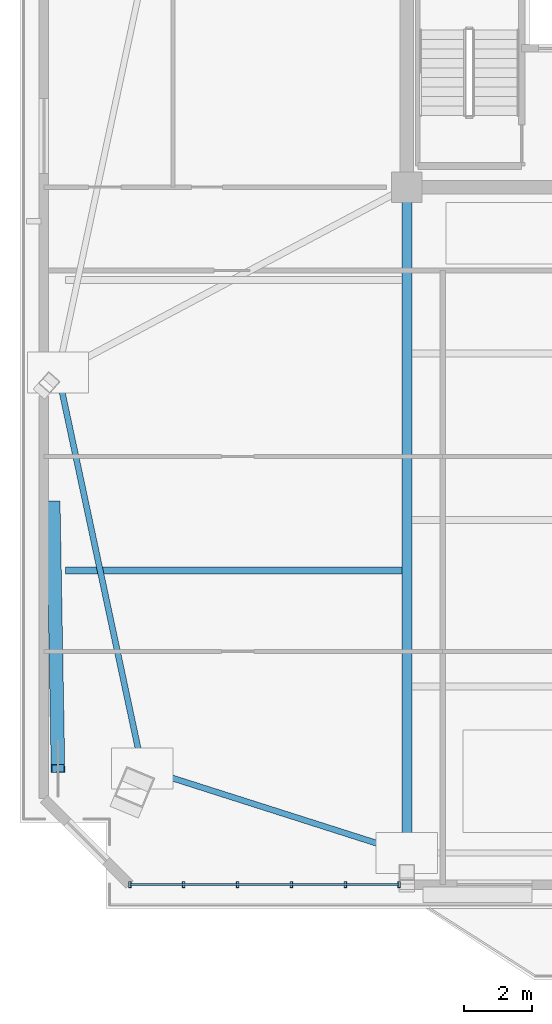
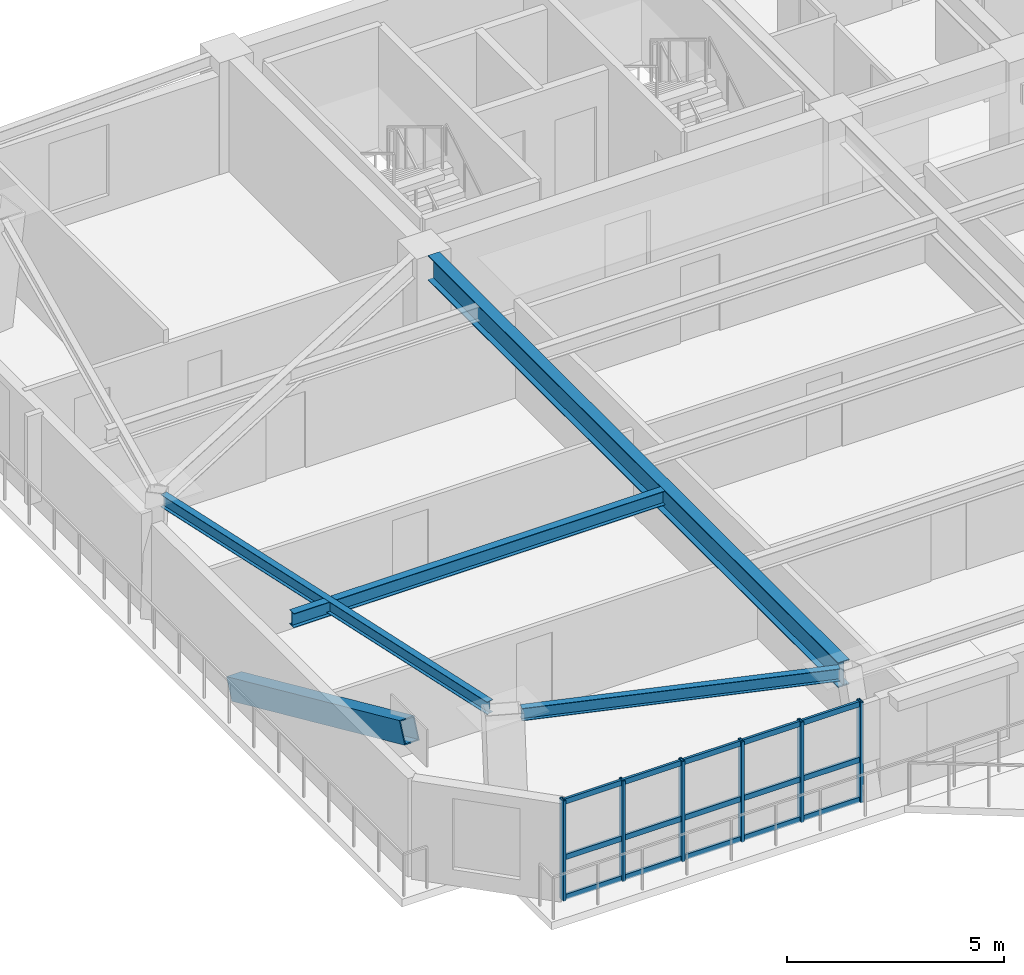
# One storey, part 2 of 15: 10 members, 4 beams, 1 element without a shape of its own.
"""IFC4 building model written with IfcOpenShell, lengths in metres."""

from ifc_helpers import new_model, si_unit, direction, frame, origin, origin_2d, place, context, subcontext, project, spatial, hollow_rectangle, i_section, extrude, source, transform, mapped, material, layer, layer_set, material_profile, profile_set, type_object, element, aggregate, save


model = new_model("IFC4")

# Units and contexts
model_context = context("Model", 3, precision=1e-05, world=origin(), true_north=direction((0.0, 1.0)))
body_context = subcontext(model_context, "Body", "Model", "MODEL_VIEW")
ifc_project = project(units=[si_unit("LENGTHUNIT", "METRE"), si_unit("AREAUNIT", "SQUARE_METRE"), si_unit("VOLUMEUNIT", "CUBIC_METRE"), si_unit("PLANEANGLEUNIT", "RADIAN"), si_unit("MASSUNIT", "GRAM", prefix="KILO")], contexts=[model_context])

# Site, building, storey
site_placement = place(None, origin())
site = spatial("IfcSite", under=ifc_project, at=site_placement, CompositionType="ELEMENT")
building_placement = place(site_placement, origin())
building = spatial("IfcBuilding", under=site, at=building_placement, Name="Giltprow Tower", CompositionType="ELEMENT")
storey_placement = place(building_placement, frame((0.0, 0.0, 275.699951171875)))
storey = spatial("IfcBuildingStorey", under=building, at=storey_placement, Name="L71", CompositionType="ELEMENT", Elevation=275.699951171875)

# Beams
ifc_material_1 = material(Name="Structural steel Q355B", Category="steel")
ifc_material_profile_1 = material_profile(ifc_material_1, i_section(OverallWidth=0.175048828125, OverallDepth=0.35009765625, WebThickness=0.007080078125, FlangeThickness=0.010986328125, at=origin_2d()), Name="HN 350x175x7x11")
ifc_profile_set_1 = profile_set([ifc_material_profile_1], Name="Structural steel Q355B")
beam_type_1 = type_object("IfcBeamType", Name="BM-SPAN-HN350", PredefinedType="SPANDREL", material=ifc_profile_set_1)
shared_shape_1 = source(origin(), body_context, "Body", "SweptSolid", [
    extrude(i_section(OverallWidth=0.175048828125, OverallDepth=0.35009765625, WebThickness=0.007080078125, FlangeThickness=0.010986328125, at=origin_2d()), origin(), (0.0, 0.0, 1.0), 7.5048828125),
])
beam_1_placement = place(storey_placement, frame((12.5, 20.2529296875, 2.965087890625), z_axis=(0.952693085845, -0.303934012875, 0.0), x_axis=(0.303934012875, 0.952693085845, 0.0)))
element("IfcBeam", 1, at=beam_1_placement, inside=storey, type_object=beam_type_1, Name="L71 Perimeter Spandrel Beam MC_SW-S1", PredefinedType="SPANDREL", context=body_context, shape_type="MappedRepresentation", body=[
    mapped(shared_shape_1, transform((0.0, 0.0, 0.0), x_axis=(1.0, 0.0, 0.0), y_axis=(0.0, 1.0, 0.0), z_axis=(0.0, 0.0, 1.0), scale=1.0)),
])
shared_shape_2 = source(origin(), body_context, "Body", "SweptSolid", [
    extrude(i_section(OverallWidth=0.175048828125, OverallDepth=0.35009765625, WebThickness=0.007080078125, FlangeThickness=0.010986328125, at=origin_2d()), origin(), (0.0, 0.0, 1.0), 11.23583984375),
])
beam_2_placement = place(storey_placement, frame((9.653076171875, 31.799072265625, 2.965087890625), z_axis=(0.208444216546, -0.97803425737, 0.0), x_axis=(0.97803425737, 0.208444216546, 0.0)))
element("IfcBeam", 2, at=beam_2_placement, inside=storey, type_object=beam_type_1, Name="L71 Perimeter Spandrel Beam W_MID-MC_SW", PredefinedType="SPANDREL", context=body_context, shape_type="MappedRepresentation", body=[
    mapped(shared_shape_2, transform((0.0, 0.0, 0.0), x_axis=(1.0, 0.0, 0.0), y_axis=(0.0, 1.0, 0.0), z_axis=(0.0, 0.0, 1.0), scale=1.0)),
])
ifc_material_profile_2 = material_profile(ifc_material_1, i_section(OverallWidth=0.300048828125, OverallDepth=0.699951171875, WebThickness=0.012939453125, FlangeThickness=0.02392578125, at=origin_2d()), Name="HN 700x300x13x24")
ifc_profile_set_2 = profile_set([ifc_material_profile_2], Name="Structural steel Q355B")
beam_type_2 = type_object("IfcBeamType", Name="BM-GIRD-HN700", PredefinedType="BEAM", material=ifc_profile_set_2)
shared_shape_3 = source(origin(), body_context, "Body", "SweptSolid", [
    extrude(i_section(OverallWidth=0.300048828125, OverallDepth=0.699951171875, WebThickness=0.012939453125, FlangeThickness=0.02392578125, at=origin_2d()), origin(), (0.0, 0.0, 1.0), 18.89697265625),
])
beam_3_placement = place(storey_placement, frame((19.85009765625, 18.117919921875, 2.7900390625), z_axis=(0.0, 1.0, 0.0), x_axis=(-1.0, 0.0, 0.0)))
element("IfcBeam", 3, at=beam_3_placement, inside=storey, type_object=beam_type_2, Name="L71 Primary Lease Girder S1", PredefinedType="BEAM", context=body_context, shape_type="MappedRepresentation", body=[
    mapped(shared_shape_3, transform((0.0, 0.0, 0.0), x_axis=(1.0, 0.0, 0.0), y_axis=(0.0, 1.0, 0.0), z_axis=(0.0, 0.0, 1.0), scale=1.0)),
])
ifc_material_profile_3 = material_profile(ifc_material_1, i_section(OverallWidth=0.199951171875, OverallDepth=0.39990234375, WebThickness=0.008056640625, FlangeThickness=0.012939453125, at=origin_2d()), Name="HN 400x200x8x13")
ifc_profile_set_3 = profile_set([ifc_material_profile_3], Name="Structural steel Q355B")
beam_type_3 = type_object("IfcBeamType", Name="BM-JOIST-HN400", PredefinedType="JOIST", material=ifc_profile_set_3)
shared_shape_4 = source(origin(), body_context, "Body", "SweptSolid", [
    extrude(i_section(OverallWidth=0.199951171875, OverallDepth=0.39990234375, WebThickness=0.008056640625, FlangeThickness=0.012939453125, at=origin_2d()), origin(), (0.0, 0.0, 1.0), 9.8759765625),
])
beam_4_placement = place(storey_placement, frame((9.8291015625, 26.194091796875, 2.93994140625), z_axis=(1.0, 0.0, 0.0), x_axis=(0.0, 1.0, 0.0)))
element("IfcBeam", 4, at=beam_4_placement, inside=storey, type_object=beam_type_3, Name="L71 West Wing Floor Joist 1", PredefinedType="JOIST", context=body_context, shape_type="MappedRepresentation", body=[
    mapped(shared_shape_4, transform((0.0, 0.0, 0.0), x_axis=(1.0, 0.0, 0.0), y_axis=(0.0, 1.0, 0.0), z_axis=(0.0, 0.0, 1.0), scale=1.0)),
])

# Member
ifc_material_2 = material(Name="Structural steel Q420GJC", Category="steel")
ifc_material_profile_4 = material_profile(ifc_material_2, hollow_rectangle(XDim=0.39990234375, YDim=0.60009765625, WallThickness=0.028076171875, at=origin_2d()), Name="RHS 600x400x28")
ifc_profile_set_4 = profile_set([ifc_material_profile_4], Name="Structural steel Q420GJC")
member_type_1 = type_object("IfcMemberType", Name="MBR-MEGA-RHS600", PredefinedType="BRACE", material=ifc_profile_set_4)
shared_shape_5 = source(origin(), body_context, "Body", "SweptSolid", [
    extrude(hollow_rectangle(XDim=0.39990234375, YDim=0.60009765625, WallThickness=0.028076171875, at=origin_2d()), origin(), (0.0, 0.0, 1.0), 8.44677734375),
])
member_1_placement = place(storey_placement, frame((9.470947265625, 28.115966796875, 0.0), z_axis=(0.0163304612, -0.915257317457, 0.402538642715), x_axis=(0.999840860934, 0.017839641459, 0.0)))
element("IfcMember", 5, at=member_1_placement, inside=storey, type_object=member_type_1, Name="L71 Chevron Mega-Brace W-D", PredefinedType="BRACE", context=body_context, shape_type="MappedRepresentation", body=[
    mapped(shared_shape_5, transform((0.0, 0.0, 0.0), x_axis=(1.0, 0.0, 0.0), y_axis=(0.0, 1.0, 0.0), z_axis=(0.0, 0.0, 1.0), scale=1.0)),
])

# Curtain wall, members
ifc_material_3 = material(Name="Anodized bronze", Category="metal")
ifc_layer = layer(ifc_material_3, 0.179931640625, Name="Anodized bronze")
ifc_layer_set = layer_set([ifc_layer], Name="Anodized bronze")
curtain_wall_type = type_object("IfcCurtainWallType", Name="CW-RES-SKY", PredefinedType="NOTDEFINED", material=ifc_layer_set)
curtain_wall_placement = place(storey_placement, origin())
curtain_wall = element("IfcCurtainWall", 6, at=curtain_wall_placement, inside=storey, type_object=curtain_wall_type, Name="L71 South Recessed Curtain Wall 1", PredefinedType="NOTDEFINED")
ifc_material_profile_5 = material_profile(ifc_material_3, hollow_rectangle(XDim=0.06494140625, YDim=0.14990234375, WallThickness=0.006103515625, at=origin_2d()), Name="RHS 150x65x6")
ifc_profile_set_5 = profile_set([ifc_material_profile_5], Name="Anodized bronze")
member_type_2 = type_object("IfcMemberType", Name="CW-TRANSOM-150x65", PredefinedType="USERDEFINED", material=ifc_profile_set_5)
shared_shape_6 = source(origin(), body_context, "Body", "SweptSolid", [
    extrude(hollow_rectangle(XDim=0.06494140625, YDim=0.14990234375, WallThickness=0.006103515625, at=origin_2d()), origin(), (0.0, 0.0, 1.0), 7.907958984375),
])
member_2_placement = place(storey_placement, frame((11.717041015625, 16.97607421875, 0.0400390625), z_axis=(1.0, 0.0, 0.0), x_axis=(0.0, 1.0, 0.0)))
member_2 = element("IfcMember", 7, at=member_2_placement, type_object=member_type_2, Name="L71 South Recessed Curtain Wall 1 Transom 1", ObjectType="TRANSOM", PredefinedType="USERDEFINED", context=body_context, shape_type="MappedRepresentation", body=[
    mapped(shared_shape_6, transform((0.0, 0.0, 0.0), x_axis=(1.0, 0.0, 0.0), y_axis=(0.0, 1.0, 0.0), z_axis=(0.0, 0.0, 1.0), scale=1.0)),
])
member_3_placement = place(storey_placement, frame((11.717041015625, 16.97607421875, 1.1630859375), z_axis=(1.0, 0.0, 0.0), x_axis=(0.0, 1.0, 0.0)))
member_3 = element("IfcMember", 8, at=member_3_placement, type_object=member_type_2, Name="L71 South Recessed Curtain Wall 1 Transom 2", ObjectType="TRANSOM", PredefinedType="USERDEFINED", context=body_context, shape_type="MappedRepresentation", body=[
    mapped(shared_shape_6, transform((0.0, 0.0, 0.0), x_axis=(1.0, 0.0, 0.0), y_axis=(0.0, 1.0, 0.0), z_axis=(0.0, 0.0, 1.0), scale=1.0)),
])
member_4_placement = place(storey_placement, frame((11.717041015625, 16.97607421875, 2.72998046875), z_axis=(1.0, 0.0, 0.0), x_axis=(0.0, 1.0, 0.0)))
member_4 = element("IfcMember", 9, at=member_4_placement, type_object=member_type_2, Name="L71 South Recessed Curtain Wall 1 Transom 3", ObjectType="TRANSOM", PredefinedType="USERDEFINED", context=body_context, shape_type="MappedRepresentation", body=[
    mapped(shared_shape_6, transform((0.0, 0.0, 0.0), x_axis=(1.0, 0.0, 0.0), y_axis=(0.0, 1.0, 0.0), z_axis=(0.0, 0.0, 1.0), scale=1.0)),
])
ifc_material_profile_6 = material_profile(ifc_material_3, hollow_rectangle(XDim=0.074951171875, YDim=0.179931640625, WallThickness=0.008056640625, at=origin_2d()), Name="RHS 180x75x8")
ifc_profile_set_6 = profile_set([ifc_material_profile_6], Name="Anodized bronze")
member_type_3 = type_object("IfcMemberType", Name="CW-MULLION-180x75", PredefinedType="MULLION", material=ifc_profile_set_6)
shared_shape_7 = source(origin(), body_context, "Body", "SweptSolid", [
    extrude(hollow_rectangle(XDim=0.074951171875, YDim=0.179931640625, WallThickness=0.008056640625, at=origin_2d()), origin(), (0.0, 0.0, 1.0), 2.824951171875),
])
member_5_placement = place(storey_placement, frame((11.717041015625, 16.97607421875, -0.02001953125), z_axis=(0.0, 0.0, 1.0), x_axis=(1.0, 0.0, 0.0)))
member_5 = element("IfcMember", 10, at=member_5_placement, type_object=member_type_3, Name="L71 South Recessed Curtain Wall 1 Mullion 1", PredefinedType="MULLION", context=body_context, shape_type="MappedRepresentation", body=[
    mapped(shared_shape_7, transform((0.0, 0.0, 0.0), x_axis=(1.0, 0.0, 0.0), y_axis=(0.0, 1.0, 0.0), z_axis=(0.0, 0.0, 1.0), scale=1.0)),
])
member_6_placement = place(storey_placement, frame((13.299072265625, 16.97607421875, -0.02001953125), z_axis=(0.0, 0.0, 1.0), x_axis=(1.0, 0.0, 0.0)))
member_6 = element("IfcMember", 11, at=member_6_placement, type_object=member_type_3, Name="L71 South Recessed Curtain Wall 1 Mullion 2", PredefinedType="MULLION", context=body_context, shape_type="MappedRepresentation", body=[
    mapped(shared_shape_7, transform((0.0, 0.0, 0.0), x_axis=(1.0, 0.0, 0.0), y_axis=(0.0, 1.0, 0.0), z_axis=(0.0, 0.0, 1.0), scale=1.0)),
])
member_7_placement = place(storey_placement, frame((14.8798828125, 16.97607421875, -0.02001953125), z_axis=(0.0, 0.0, 1.0), x_axis=(1.0, 0.0, 0.0)))
member_7 = element("IfcMember", 12, at=member_7_placement, type_object=member_type_3, Name="L71 South Recessed Curtain Wall 1 Mullion 3", PredefinedType="MULLION", context=body_context, shape_type="MappedRepresentation", body=[
    mapped(shared_shape_7, transform((0.0, 0.0, 0.0), x_axis=(1.0, 0.0, 0.0), y_axis=(0.0, 1.0, 0.0), z_axis=(0.0, 0.0, 1.0), scale=1.0)),
])
member_8_placement = place(storey_placement, frame((16.4619140625, 16.97607421875, -0.02001953125), z_axis=(0.0, 0.0, 1.0), x_axis=(1.0, 0.0, 0.0)))
member_8 = element("IfcMember", 13, at=member_8_placement, type_object=member_type_3, Name="L71 South Recessed Curtain Wall 1 Mullion 4", PredefinedType="MULLION", context=body_context, shape_type="MappedRepresentation", body=[
    mapped(shared_shape_7, transform((0.0, 0.0, 0.0), x_axis=(1.0, 0.0, 0.0), y_axis=(0.0, 1.0, 0.0), z_axis=(0.0, 0.0, 1.0), scale=1.0)),
])
member_9_placement = place(storey_placement, frame((18.04296875, 16.97607421875, -0.02001953125), z_axis=(0.0, 0.0, 1.0), x_axis=(1.0, 0.0, 0.0)))
member_9 = element("IfcMember", 14, at=member_9_placement, type_object=member_type_3, Name="L71 South Recessed Curtain Wall 1 Mullion 5", PredefinedType="MULLION", context=body_context, shape_type="MappedRepresentation", body=[
    mapped(shared_shape_7, transform((0.0, 0.0, 0.0), x_axis=(1.0, 0.0, 0.0), y_axis=(0.0, 1.0, 0.0), z_axis=(0.0, 0.0, 1.0), scale=1.0)),
])
member_10_placement = place(storey_placement, frame((19.625, 16.97607421875, -0.02001953125), z_axis=(0.0, 0.0, 1.0), x_axis=(1.0, 0.0, 0.0)))
member_10 = element("IfcMember", 15, at=member_10_placement, type_object=member_type_3, Name="L71 South Recessed Curtain Wall 1 Mullion 6", PredefinedType="MULLION", context=body_context, shape_type="MappedRepresentation", body=[
    mapped(shared_shape_7, transform((0.0, 0.0, 0.0), x_axis=(1.0, 0.0, 0.0), y_axis=(0.0, 1.0, 0.0), z_axis=(0.0, 0.0, 1.0), scale=1.0)),
])
aggregate(curtain_wall, [member_5, member_6, member_7, member_8, member_9, member_10, member_2, member_3, member_4])

save(model, "model.ifc")
